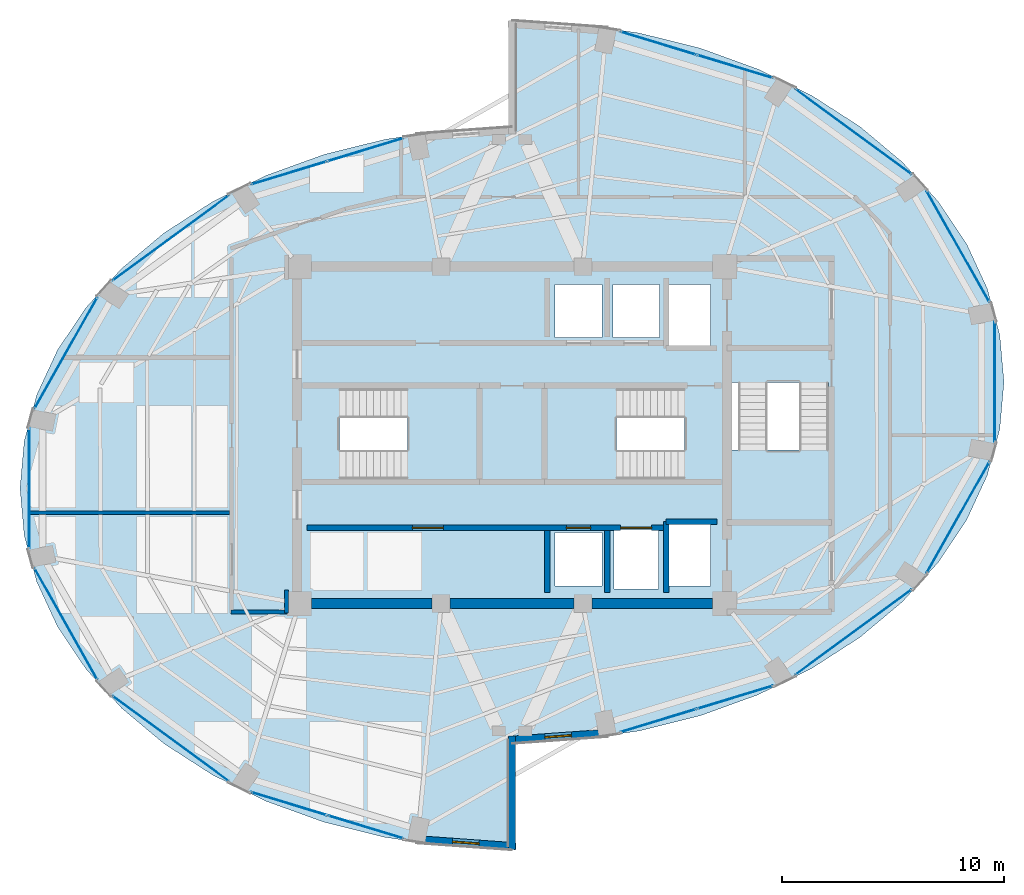
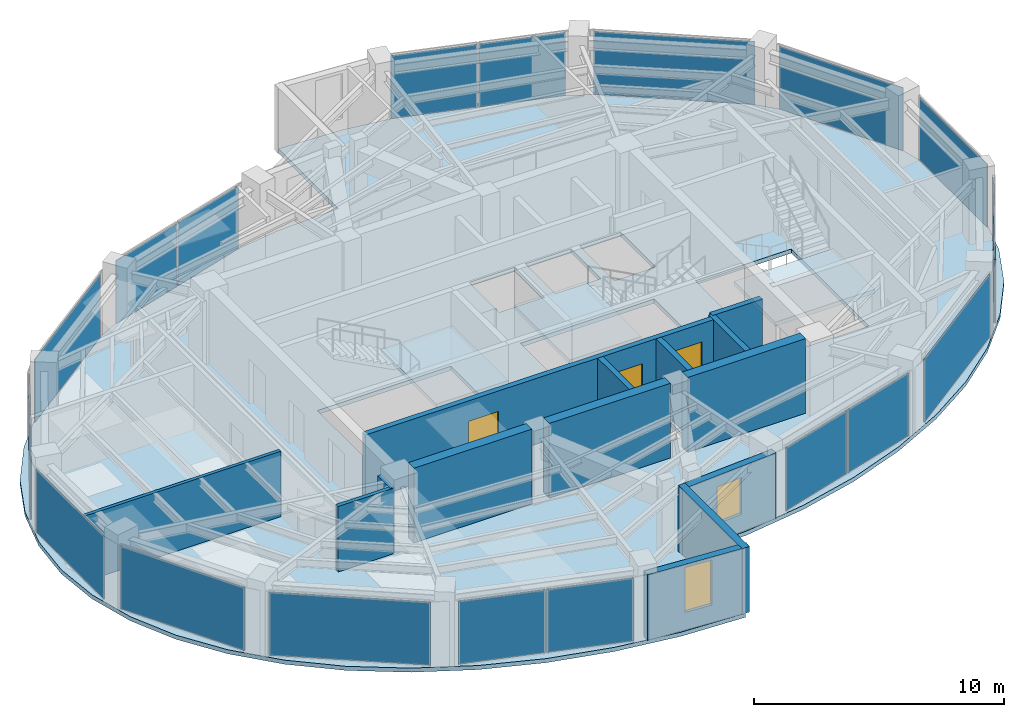
# One storey, part 18 of 22: 18 plates, 14 walls, 4 slabs, 3 doors, 2 windows, 5 openings, 17 elements without a shape of their own.
"""IFC4 building model written with IfcOpenShell, lengths in metres."""

from ifc_helpers import new_model, si_unit, direction, frame, frame_2d, origin, origin_2d, place, context, subcontext, project, spatial, polyline, rectangle, outline, extrude, material, layer, layer_set, type_object, element, fill, aggregate, save


model = new_model("IFC4")

# Units and contexts
model_context = context("Model", 3, precision=1e-05, world=origin(), true_north=direction((0.0, 1.0)))
body_context = subcontext(model_context, "Body", "Model", "MODEL_VIEW")
ifc_project = project(units=[si_unit("LENGTHUNIT", "METRE"), si_unit("AREAUNIT", "SQUARE_METRE"), si_unit("VOLUMEUNIT", "CUBIC_METRE"), si_unit("PLANEANGLEUNIT", "RADIAN"), si_unit("MASSUNIT", "GRAM", prefix="KILO")], contexts=[model_context])

# Site, building, storey
site_placement = place(None, origin())
site = spatial("IfcSite", under=ifc_project, at=site_placement, CompositionType="ELEMENT")
building_placement = place(site_placement, origin())
building = spatial("IfcBuilding", under=site, at=building_placement, Name="Lazwardi Medical Tower", CompositionType="ELEMENT")
storey_placement = place(building_placement, frame((0.0, 0.0, 242.256103515625)))
storey = spatial("IfcBuildingStorey", under=building, at=storey_placement, Name="L63", CompositionType="ELEMENT", Elevation=242.256103515625)

# Curtain wall, plates
ifc_material_1 = material(Name="Anodised bronze aluminium and solar control glazing", Category="aluminium")
ifc_layer_1 = layer(ifc_material_1, 0.18994140625)
ifc_layer_set_1 = layer_set([ifc_layer_1], Name="Anodised bronze aluminium and solar control glazing")
curtain_wall_type = type_object("IfcCurtainWallType", Name="CW-SYS-04", PredefinedType="NOTDEFINED", material=ifc_layer_set_1)
curtain_wall_1_placement = place(storey_placement, origin())
curtain_wall_1 = element("IfcCurtainWall", 1, at=curtain_wall_1_placement, inside=storey, type_object=curtain_wall_type, Name="L63 Unitised bronze curtain wall CW-04", PredefinedType="NOTDEFINED")
ifc_material_2 = material(Name="Low-e bronze solar control double glazing", Category="glass")
ifc_layer_2 = layer(ifc_material_2, 0.035888671875)
ifc_layer_set_2 = layer_set([ifc_layer_2], Name="Low-e bronze solar control double glazing")
plate_type = type_object("IfcPlateType", Name="PLT-GLZ-01", PredefinedType="CURTAIN_PANEL", material=ifc_layer_set_2)
plate_1_placement = place(storey_placement, frame((42.604736328125, 15.118896484375, 0.06494140625), z_axis=(0.0, 0.0, 1.0), x_axis=(0.956850126972, 0.290581889515, 0.0)))
plate_1 = element("IfcPlate", 2, at=plate_1_placement, type_object=plate_type, Name="CW-04 panel 1.1", PredefinedType="CURTAIN_PANEL", context=body_context, shape_type="SweptSolid", body=[
    extrude(rectangle(XDim=3.554443359375, YDim=0.035888671875, at=origin_2d()), origin(), (0.0, 0.0, 1.0), 3.068115234375),
])
plate_2_placement = place(storey_placement, frame((46.068115234375, 16.170654296875, 0.06494140625), z_axis=(0.0, 0.0, 1.0), x_axis=(0.956850126972, 0.290581889515, 0.0)))
plate_2 = element("IfcPlate", 3, at=plate_2_placement, type_object=plate_type, Name="CW-04 panel 2.1", PredefinedType="CURTAIN_PANEL", context=body_context, shape_type="SweptSolid", body=[
    extrude(rectangle(XDim=3.554443359375, YDim=0.035888671875, at=origin_2d()), origin(), (0.0, 0.0, 1.0), 3.068115234375),
])
aggregate(curtain_wall_1, [plate_1, plate_2])

# Curtain wall, plate
curtain_wall_2_placement = place(storey_placement, origin())
curtain_wall_2 = element("IfcCurtainWall", 4, at=curtain_wall_2_placement, inside=storey, type_object=curtain_wall_type, Name="L63 Unitised bronze curtain wall CW-04", PredefinedType="NOTDEFINED")
plate_3_placement = place(storey_placement, frame((51.403564453125, 19.106689453125, 0.06494140625), z_axis=(0.0, 0.0, 1.0), x_axis=(0.806474971121, 0.591268230971, 0.0)))
plate_3 = element("IfcPlate", 5, at=plate_3_placement, type_object=plate_type, Name="CW-04 panel 1.1", PredefinedType="CURTAIN_PANEL", context=body_context, shape_type="SweptSolid", body=[
    extrude(rectangle(XDim=6.502685546875, YDim=0.035888671875, at=origin_2d()), origin(), (0.0, 0.0, 1.0), 3.068115234375),
])
aggregate(curtain_wall_2, [plate_3])

curtain_wall_3_placement = place(storey_placement, origin())
curtain_wall_3 = element("IfcCurtainWall", 6, at=curtain_wall_3_placement, inside=storey, type_object=curtain_wall_type, Name="L63 Unitised bronze curtain wall CW-04", PredefinedType="NOTDEFINED")
plate_4_placement = place(storey_placement, frame((56.125732421875, 24.2880859375, 0.06494140625), z_axis=(0.0, 0.0, 1.0), x_axis=(0.491900474661, 0.870651436011, 0.0)))
plate_4 = element("IfcPlate", 7, at=plate_4_placement, type_object=plate_type, Name="CW-04 panel 1.1", PredefinedType="CURTAIN_PANEL", context=body_context, shape_type="SweptSolid", body=[
    extrude(rectangle(XDim=5.755126953125, YDim=0.035888671875, at=origin_2d()), origin(), (0.0, 0.0, 1.0), 3.068115234375),
])
aggregate(curtain_wall_3, [plate_4])

curtain_wall_4_placement = place(storey_placement, origin())
curtain_wall_4 = element("IfcCurtainWall", 8, at=curtain_wall_4_placement, inside=storey, type_object=curtain_wall_type, Name="L63 Unitised bronze curtain wall CW-04", PredefinedType="NOTDEFINED")
plate_5_placement = place(storey_placement, frame((57.7841796875, 30.39990234375, 0.06494140625), z_axis=(0.0, 0.0, 1.0), x_axis=(0.0, 1.0, 0.0)))
plate_5 = element("IfcPlate", 9, at=plate_5_placement, type_object=plate_type, Name="CW-04 panel 1.1", PredefinedType="CURTAIN_PANEL", context=body_context, shape_type="SweptSolid", body=[
    extrude(rectangle(XDim=5.416015625, YDim=0.035888671875, at=origin_2d()), origin(), (0.0, 0.0, 1.0), 3.068115234375),
])
aggregate(curtain_wall_4, [plate_5])

curtain_wall_5_placement = place(storey_placement, origin())
curtain_wall_5 = element("IfcCurtainWall", 10, at=curtain_wall_5_placement, inside=storey, type_object=curtain_wall_type, Name="L63 Unitised bronze curtain wall CW-04", PredefinedType="NOTDEFINED")
plate_6_placement = place(storey_placement, frame((56.125732421875, 36.511962890625, 0.06494140625), z_axis=(0.0, 0.0, 1.0), x_axis=(-0.491900474661, 0.870651436011, 0.0)))
plate_6 = element("IfcPlate", 11, at=plate_6_placement, type_object=plate_type, Name="CW-04 panel 1.1", PredefinedType="CURTAIN_PANEL", context=body_context, shape_type="SweptSolid", body=[
    extrude(rectangle(XDim=5.755126953125, YDim=0.035888671875, at=origin_2d()), origin(), (0.0, 0.0, 1.0), 3.068115234375),
])
aggregate(curtain_wall_5, [plate_6])

curtain_wall_6_placement = place(storey_placement, origin())
curtain_wall_6 = element("IfcCurtainWall", 12, at=curtain_wall_6_placement, inside=storey, type_object=curtain_wall_type, Name="L63 Unitised bronze curtain wall CW-04", PredefinedType="NOTDEFINED")
plate_7_placement = place(storey_placement, frame((51.403564453125, 41.693359375, 0.06494140625), z_axis=(0.0, 0.0, 1.0), x_axis=(-0.806474971121, 0.591268230971, 0.0)))
plate_7 = element("IfcPlate", 13, at=plate_7_placement, type_object=plate_type, Name="CW-04 panel 1.1", PredefinedType="CURTAIN_PANEL", context=body_context, shape_type="SweptSolid", body=[
    extrude(rectangle(XDim=6.502685546875, YDim=0.035888671875, at=origin_2d()), origin(), (0.0, 0.0, 1.0), 3.068115234375),
])
aggregate(curtain_wall_6, [plate_7])

# Curtain wall, plates
curtain_wall_7_placement = place(storey_placement, origin())
curtain_wall_7 = element("IfcCurtainWall", 14, at=curtain_wall_7_placement, inside=storey, type_object=curtain_wall_type, Name="L63 Unitised bronze curtain wall CW-04", PredefinedType="NOTDEFINED")
plate_8_placement = place(storey_placement, frame((46.068115234375, 44.62939453125, 0.06494140625), z_axis=(0.0, 0.0, 1.0), x_axis=(-0.956850126972, 0.290581889515, 0.0)))
plate_8 = element("IfcPlate", 15, at=plate_8_placement, type_object=plate_type, Name="CW-04 panel 1.1", PredefinedType="CURTAIN_PANEL", context=body_context, shape_type="SweptSolid", body=[
    extrude(rectangle(XDim=3.554443359375, YDim=0.035888671875, at=origin_2d()), origin(), (0.0, 0.0, 1.0), 3.068115234375),
])
plate_9_placement = place(storey_placement, frame((42.604736328125, 45.68115234375, 0.06494140625), z_axis=(0.0, 0.0, 1.0), x_axis=(-0.956850126972, 0.290581889515, 0.0)))
plate_9 = element("IfcPlate", 16, at=plate_9_placement, type_object=plate_type, Name="CW-04 panel 2.1", PredefinedType="CURTAIN_PANEL", context=body_context, shape_type="SweptSolid", body=[
    extrude(rectangle(XDim=3.554443359375, YDim=0.035888671875, at=origin_2d()), origin(), (0.0, 0.0, 1.0), 3.068115234375),
])
aggregate(curtain_wall_7, [plate_8, plate_9])

curtain_wall_8_placement = place(storey_placement, origin())
curtain_wall_8 = element("IfcCurtainWall", 17, at=curtain_wall_8_placement, inside=storey, type_object=curtain_wall_type, Name="L63 Unitised bronze curtain wall CW-04", PredefinedType="NOTDEFINED")
plate_10_placement = place(storey_placement, frame((29.395263671875, 40.881103515625, 0.06494140625), z_axis=(0.0, 0.0, 1.0), x_axis=(-0.956850126972, -0.290581889515, 0.0)))
plate_10 = element("IfcPlate", 18, at=plate_10_placement, type_object=plate_type, Name="CW-04 panel 1.1", PredefinedType="CURTAIN_PANEL", context=body_context, shape_type="SweptSolid", body=[
    extrude(rectangle(XDim=3.554443359375, YDim=0.035888671875, at=origin_2d()), origin(), (0.0, 0.0, 1.0), 3.068115234375),
])
plate_11_placement = place(storey_placement, frame((25.931884765625, 39.829345703125, 0.06494140625), z_axis=(0.0, 0.0, 1.0), x_axis=(-0.956850126972, -0.290581889515, 0.0)))
plate_11 = element("IfcPlate", 19, at=plate_11_placement, type_object=plate_type, Name="CW-04 panel 2.1", PredefinedType="CURTAIN_PANEL", context=body_context, shape_type="SweptSolid", body=[
    extrude(rectangle(XDim=3.554443359375, YDim=0.035888671875, at=origin_2d()), origin(), (0.0, 0.0, 1.0), 3.068115234375),
])
aggregate(curtain_wall_8, [plate_10, plate_11])

# Curtain wall, plate
curtain_wall_9_placement = place(storey_placement, origin())
curtain_wall_9 = element("IfcCurtainWall", 20, at=curtain_wall_9_placement, inside=storey, type_object=curtain_wall_type, Name="L63 Unitised bronze curtain wall CW-04", PredefinedType="NOTDEFINED")
plate_12_placement = place(storey_placement, frame((20.596435546875, 36.893310546875, 0.06494140625), z_axis=(0.0, 0.0, 1.0), x_axis=(-0.806474971121, -0.591268230971, 0.0)))
plate_12 = element("IfcPlate", 21, at=plate_12_placement, type_object=plate_type, Name="CW-04 panel 1.1", PredefinedType="CURTAIN_PANEL", context=body_context, shape_type="SweptSolid", body=[
    extrude(rectangle(XDim=6.502685546875, YDim=0.035888671875, at=origin_2d()), origin(), (0.0, 0.0, 1.0), 3.068115234375),
])
aggregate(curtain_wall_9, [plate_12])

curtain_wall_10_placement = place(storey_placement, origin())
curtain_wall_10 = element("IfcCurtainWall", 22, at=curtain_wall_10_placement, inside=storey, type_object=curtain_wall_type, Name="L63 Unitised bronze curtain wall CW-04", PredefinedType="NOTDEFINED")
plate_13_placement = place(storey_placement, frame((15.874267578125, 31.7119140625, 0.06494140625), z_axis=(0.0, 0.0, 1.0), x_axis=(-0.491900474661, -0.870651436011, 0.0)))
plate_13 = element("IfcPlate", 23, at=plate_13_placement, type_object=plate_type, Name="CW-04 panel 1.1", PredefinedType="CURTAIN_PANEL", context=body_context, shape_type="SweptSolid", body=[
    extrude(rectangle(XDim=5.755126953125, YDim=0.035888671875, at=origin_2d()), origin(), (0.0, 0.0, 1.0), 3.068115234375),
])
aggregate(curtain_wall_10, [plate_13])

curtain_wall_11_placement = place(storey_placement, origin())
curtain_wall_11 = element("IfcCurtainWall", 24, at=curtain_wall_11_placement, inside=storey, type_object=curtain_wall_type, Name="L63 Unitised bronze curtain wall CW-04", PredefinedType="NOTDEFINED")
plate_14_placement = place(storey_placement, frame((14.2158203125, 25.60009765625, 0.06494140625), z_axis=(0.0, 0.0, 1.0), x_axis=(0.0, -1.0, 0.0)))
plate_14 = element("IfcPlate", 25, at=plate_14_placement, type_object=plate_type, Name="CW-04 panel 1.1", PredefinedType="CURTAIN_PANEL", context=body_context, shape_type="SweptSolid", body=[
    extrude(rectangle(XDim=5.416015625, YDim=0.035888671875, at=origin_2d()), origin(), (0.0, 0.0, 1.0), 3.068115234375),
])
aggregate(curtain_wall_11, [plate_14])

curtain_wall_12_placement = place(storey_placement, origin())
curtain_wall_12 = element("IfcCurtainWall", 26, at=curtain_wall_12_placement, inside=storey, type_object=curtain_wall_type, Name="L63 Unitised bronze curtain wall CW-04", PredefinedType="NOTDEFINED")
plate_15_placement = place(storey_placement, frame((15.874267578125, 19.488037109375, 0.06494140625), z_axis=(0.0, 0.0, 1.0), x_axis=(0.491900474661, -0.870651436011, 0.0)))
plate_15 = element("IfcPlate", 27, at=plate_15_placement, type_object=plate_type, Name="CW-04 panel 1.1", PredefinedType="CURTAIN_PANEL", context=body_context, shape_type="SweptSolid", body=[
    extrude(rectangle(XDim=5.755126953125, YDim=0.035888671875, at=origin_2d()), origin(), (0.0, 0.0, 1.0), 3.068115234375),
])
aggregate(curtain_wall_12, [plate_15])

curtain_wall_13_placement = place(storey_placement, origin())
curtain_wall_13 = element("IfcCurtainWall", 28, at=curtain_wall_13_placement, inside=storey, type_object=curtain_wall_type, Name="L63 Unitised bronze curtain wall CW-04", PredefinedType="NOTDEFINED")
plate_16_placement = place(storey_placement, frame((20.596435546875, 14.306640625, 0.06494140625), z_axis=(0.0, 0.0, 1.0), x_axis=(0.806474971121, -0.591268230971, 0.0)))
plate_16 = element("IfcPlate", 29, at=plate_16_placement, type_object=plate_type, Name="CW-04 panel 1.1", PredefinedType="CURTAIN_PANEL", context=body_context, shape_type="SweptSolid", body=[
    extrude(rectangle(XDim=6.502685546875, YDim=0.035888671875, at=origin_2d()), origin(), (0.0, 0.0, 1.0), 3.068115234375),
])
aggregate(curtain_wall_13, [plate_16])

# Curtain wall, plates
curtain_wall_14_placement = place(storey_placement, origin())
curtain_wall_14 = element("IfcCurtainWall", 30, at=curtain_wall_14_placement, inside=storey, type_object=curtain_wall_type, Name="L63 Unitised bronze curtain wall CW-04", PredefinedType="NOTDEFINED")
plate_17_placement = place(storey_placement, frame((25.931884765625, 11.37060546875, 0.06494140625), z_axis=(0.0, 0.0, 1.0), x_axis=(0.956850126972, -0.290581889515, 0.0)))
plate_17 = element("IfcPlate", 31, at=plate_17_placement, type_object=plate_type, Name="CW-04 panel 1.1", PredefinedType="CURTAIN_PANEL", context=body_context, shape_type="SweptSolid", body=[
    extrude(rectangle(XDim=3.554443359375, YDim=0.035888671875, at=origin_2d()), origin(), (0.0, 0.0, 1.0), 3.068115234375),
])
plate_18_placement = place(storey_placement, frame((29.395263671875, 10.31884765625, 0.06494140625), z_axis=(0.0, 0.0, 1.0), x_axis=(0.956850126972, -0.290581889515, 0.0)))
plate_18 = element("IfcPlate", 32, at=plate_18_placement, type_object=plate_type, Name="CW-04 panel 2.1", PredefinedType="CURTAIN_PANEL", context=body_context, shape_type="SweptSolid", body=[
    extrude(rectangle(XDim=3.554443359375, YDim=0.035888671875, at=origin_2d()), origin(), (0.0, 0.0, 1.0), 3.068115234375),
])
aggregate(curtain_wall_14, [plate_17, plate_18])

# Stair, slab
ifc_material_3 = material(Name="Concrete C45/55", Category="concrete")
stair_type = type_object("IfcStairType", Name="STR-WRD", PredefinedType="HALF_TURN_STAIR", material=ifc_material_3)
stair_1_placement = place(storey_placement, origin())
stair_1 = element("IfcStair", 33, at=stair_1_placement, inside=storey, type_object=stair_type, Name="L63 Protected Exit Stair ST1", PredefinedType="HALF_TURN_STAIR")
ifc_layer_3 = layer(ifc_material_3, 0.199951171875)
ifc_layer_set_3 = layer_set([ifc_layer_3], Name="Concrete C45/55")
slab_type_1 = type_object("IfcSlabType", Name="SLB-LND-190", PredefinedType="LANDING", material=ifc_layer_set_3)
slab_1_placement = place(storey_placement, frame((0.0, 0.0, 1.623779296875)))
slab_1 = element("IfcSlab", 34, at=slab_1_placement, type_object=slab_type_1, Name="ST1 landing 1", PredefinedType="LANDING", context=body_context, shape_type="SweptSolid", body=[
    extrude(outline(polyline([(31.27490234375, 25.840087890625), (34.580078125, 25.840087890625), (34.580078125, 30.280029296875), (31.27490234375, 30.280029296875), (31.27490234375, 25.840087890625)])), origin(), (0.0, 0.0, 1.0), 0.2001953125),
])
aggregate(stair_1, [slab_1])

stair_2_placement = place(storey_placement, origin())
stair_2 = element("IfcStair", 35, at=stair_2_placement, inside=storey, type_object=stair_type, Name="L63 Protected Exit Stair ST2", PredefinedType="HALF_TURN_STAIR")
slab_2_placement = place(storey_placement, frame((0.0, 0.0, 1.623779296875)))
slab_2 = element("IfcSlab", 36, at=slab_2_placement, type_object=slab_type_1, Name="ST2 landing 1", PredefinedType="LANDING", context=body_context, shape_type="SweptSolid", body=[
    extrude(outline(polyline([(40.72509765625, 30.280029296875), (37.419921875, 30.280029296875), (37.419921875, 25.840087890625), (40.72509765625, 25.840087890625), (40.72509765625, 30.280029296875)])), origin(), (0.0, 0.0, 1.0), 0.2001953125),
])
aggregate(stair_2, [slab_2])

stair_3_placement = place(storey_placement, origin())
stair_3 = element("IfcStair", 37, at=stair_3_placement, inside=storey, type_object=stair_type, Name="L63 Protected Exit Stair ST3", PredefinedType="HALF_TURN_STAIR")
slab_3_placement = place(storey_placement, frame((0.0, 0.0, 1.623779296875)))
slab_3 = element("IfcSlab", 38, at=slab_3_placement, type_object=slab_type_1, Name="ST3 landing 1", PredefinedType="LANDING", context=body_context, shape_type="SweptSolid", body=[
    extrude(outline(polyline([(45.860107421875, 27.324951171875), (45.860107421875, 24.02001953125), (50.4599609375, 24.02001953125), (50.4599609375, 27.324951171875), (45.860107421875, 27.324951171875)])), origin(), (0.0, 0.0, 1.0), 0.2001953125),
])
aggregate(stair_3, [slab_3])

# Slab
ifc_material_4 = material(Name="Concrete C50/60", Category="concrete")
ifc_layer_4 = layer(ifc_material_4, 0.199951171875)
ifc_layer_set_4 = layer_set([ifc_layer_4], Name="Concrete C50/60")
slab_type_2 = type_object("IfcSlabType", Name="SLB-UPP-200", PredefinedType="FLOOR", material=ifc_layer_set_4)
slab_4_placement = place(storey_placement, frame((0.0, 0.0, -0.2001953125)))
element("IfcSlab", 39, at=slab_4_placement, inside=storey, type_object=slab_type_2, Name="Structural floor slab SF-04 L63", PredefinedType="FLOOR", context=body_context, shape_type="SweptSolid", body=[
    extrude(outline(polyline([(18.3876953125, 15.67724609375), (20.30224609375, 14.07421875), (22.485595703125, 12.668212890625), (24.89990234375, 11.48388671875), (27.50439453125, 10.540771484375), (30.254150390625, 9.85546875), (33.102294921875, 9.439453125), (36.0, 9.300048828125), (36.0, 14.10009765625), (38.897705078125, 14.239501953125), (41.745849609375, 14.655517578125), (44.49560546875, 15.3408203125), (47.10009765625, 16.28369140625), (49.514404296875, 17.46826171875), (51.69775390625, 18.874267578125), (53.6123046875, 20.477294921875), (55.225830078125, 22.25), (56.510009765625, 24.162353515625), (57.443603515625, 26.18115234375), (58.010009765625, 28.2724609375), (58.199951171875, 30.39990234375), (58.010009765625, 32.527587890625), (57.443603515625, 34.618896484375), (56.510009765625, 36.6376953125), (55.225830078125, 38.550048828125), (53.6123046875, 40.32275390625), (51.69775390625, 41.92578125), (49.514404296875, 43.331787109375), (47.10009765625, 44.51611328125), (44.49560546875, 45.459228515625), (41.745849609375, 46.14453125), (38.897705078125, 46.560546875), (36.0, 46.699951171875), (36.0, 41.89990234375), (33.102294921875, 41.760498046875), (30.254150390625, 41.344482421875), (27.50439453125, 40.6591796875), (24.89990234375, 39.71630859375), (22.485595703125, 38.53173828125), (20.30224609375, 37.125732421875), (18.3876953125, 35.522705078125), (16.774169921875, 33.75), (15.489990234375, 31.837646484375), (14.556396484375, 29.81884765625), (13.989990234375, 27.7275390625), (13.800048828125, 25.60009765625), (13.989990234375, 23.472412109375), (14.556396484375, 21.381103515625), (15.489990234375, 19.3623046875), (16.774169921875, 17.449951171875), (18.3876953125, 15.67724609375)]), holes=[polyline([(28.22509765625, 26.02001953125), (28.22509765625, 30.10009765625), (34.39990234375, 30.10009765625), (34.39990234375, 26.02001953125), (28.22509765625, 26.02001953125)]), polyline([(37.60009765625, 30.10009765625), (43.77490234375, 30.10009765625), (43.77490234375, 26.02001953125), (37.60009765625, 26.02001953125), (37.60009765625, 30.10009765625)]), polyline([(50.280029296875, 30.375), (50.280029296875, 24.179931640625), (45.840087890625, 24.179931640625), (45.840087890625, 30.375), (50.280029296875, 30.375)]), polyline([(40.050048828125, 32.39990234375), (37.949951171875, 32.39990234375), (37.949951171875, 34.800048828125), (40.050048828125, 34.800048828125), (40.050048828125, 32.39990234375)]), polyline([(40.550048828125, 32.39990234375), (40.550048828125, 34.800048828125), (42.64990234375, 34.800048828125), (42.64990234375, 32.39990234375), (40.550048828125, 32.39990234375)]), polyline([(37.949951171875, 23.60009765625), (40.050048828125, 23.60009765625), (40.050048828125, 21.199951171875), (37.949951171875, 21.199951171875), (37.949951171875, 23.60009765625)]), polyline([(44.949951171875, 34.800048828125), (44.949951171875, 32.0), (43.050048828125, 32.0), (43.050048828125, 34.800048828125), (44.949951171875, 34.800048828125)]), polyline([(44.949951171875, 21.199951171875), (43.050048828125, 21.199951171875), (43.050048828125, 24.0), (44.949951171875, 24.0), (44.949951171875, 21.199951171875)]), polyline([(40.60009765625, 21.050048828125), (40.60009765625, 23.75), (42.60009765625, 23.75), (42.60009765625, 21.050048828125), (40.60009765625, 21.050048828125)])]), origin(), (0.0, 0.0, 1.0), 0.2001953125),
])

# Walls
ifc_material_5 = material(Name="Fire-rated gypsum board on steel stud", Category="steel")
ifc_layer_5 = layer(ifc_material_5, 0.179931640625)
ifc_layer_set_5 = layer_set([ifc_layer_5], Name="Fire-rated gypsum board on steel stud")
wall_type_1 = type_object("IfcWallType", Name="WL-COR-180", PredefinedType="PARTITIONING", material=ifc_layer_set_5)
wall_1_placement = place(storey_placement, frame((25.830078125, 21.010009765625, 0.0), z_axis=(0.0, 0.0, 1.0), x_axis=(0.0, -1.0, 0.0)))
element("IfcWall", 40, at=wall_1_placement, inside=storey, type_object=wall_type_1, Name="L63 Corridor partition 8", PredefinedType="PARTITIONING", context=body_context, shape_type="SweptSolid", body=[
    extrude(rectangle(XDim=1.030029296875, YDim=0.179931640625, at=frame_2d((0.51513671875, 0.0))), origin(), (0.0, 0.0, 1.0), 3.197998046875),
])
wall_2_placement = place(storey_placement, frame((25.8701171875, 20.02001953125, 0.0), z_axis=(0.0, 0.0, 1.0), x_axis=(-1.0, 0.0, 0.0)))
element("IfcWall", 41, at=wall_2_placement, inside=storey, type_object=wall_type_1, Name="L63 Corridor partition 9", PredefinedType="PARTITIONING", context=body_context, shape_type="SweptSolid", body=[
    extrude(rectangle(XDim=2.56005859375, YDim=0.179931640625, at=frame_2d((1.280029296875, 0.0))), origin(), (0.0, 0.0, 1.0), 3.197998046875),
])
ifc_material_6 = material(Name="Concrete C60/75", Category="concrete")
ifc_layer_6 = layer(ifc_material_6, 0.449951171875)
ifc_layer_set_6 = layer_set([ifc_layer_6], Name="Concrete C60/75")
wall_type_2 = type_object("IfcWallType", Name="WL-CORE-450", PredefinedType="SHEAR", material=ifc_layer_set_6)
wall_3_placement = place(storey_placement, frame((26.949951171875, 20.39990234375, 0.0), z_axis=(0.0, 0.0, 1.0), x_axis=(1.0, 0.0, 0.0)))
element("IfcWall", 42, at=wall_3_placement, inside=storey, type_object=wall_type_2, Name="Core wall CW-S4 S1 L63", PredefinedType="SHEAR", context=body_context, shape_type="SweptSolid", body=[
    extrude(rectangle(XDim=5.449951171875, YDim=0.449951171875, at=frame_2d((2.72509765625, 0.0))), origin(), (0.0, 0.0, 1.0), 3.64794921875),
])
wall_4_placement = place(storey_placement, frame((33.199951171875, 20.39990234375, 0.0), z_axis=(0.0, 0.0, 1.0), x_axis=(1.0, 0.0, 0.0)))
element("IfcWall", 43, at=wall_4_placement, inside=storey, type_object=wall_type_2, Name="Core wall CW-S4 S2 L63", PredefinedType="SHEAR", context=body_context, shape_type="SweptSolid", body=[
    extrude(rectangle(XDim=5.60009765625, YDim=0.449951171875, at=frame_2d((2.800048828125, 0.0))), origin(), (0.0, 0.0, 1.0), 3.64794921875),
])
wall_5_placement = place(storey_placement, frame((39.60009765625, 20.39990234375, 0.0), z_axis=(0.0, 0.0, 1.0), x_axis=(1.0, 0.0, 0.0)))
element("IfcWall", 44, at=wall_5_placement, inside=storey, type_object=wall_type_2, Name="Core wall CW-S4 S3 L63", PredefinedType="SHEAR", context=body_context, shape_type="SweptSolid", body=[
    extrude(rectangle(XDim=5.449951171875, YDim=0.449951171875, at=frame_2d((2.72509765625, 0.0))), origin(), (0.0, 0.0, 1.0), 3.64794921875),
])

# Wall, opening, window
ifc_material_7 = material(Name="Precast concrete C45/55", Category="concrete")
ifc_layer_7 = layer(ifc_material_7, 0.320068359375)
ifc_layer_set_7 = layer_set([ifc_layer_7], Name="Precast concrete C45/55")
wall_type_3 = type_object("IfcWallType", Name="WL-IWAN-320", PredefinedType="SOLIDWALL", material=ifc_layer_set_7)
wall_6_placement = place(storey_placement, frame((35.820556640625, 14.2470703125, 0.0), z_axis=(0.0, 0.0, 1.0), x_axis=(0.997409061056, 0.071938619141, 0.0)))
wall_6 = element("IfcWall", 45, at=wall_6_placement, inside=storey, type_object=wall_type_3, Name="L63 Iwan Portal Return Wall SE_ret", PredefinedType="SOLIDWALL", context=body_context, shape_type="SweptSolid", body=[
    extrude(rectangle(XDim=4.540771484375, YDim=0.320068359375, at=frame_2d((2.2705078125, 0.0))), origin(), (0.0, 0.0, 1.0), 3.197998046875),
])
opening_1_placement = place(wall_6_placement, frame((1.67041015625, 0.0, 0.85009765625)))
opening_1 = element("IfcOpeningElement", 46, at=opening_1_placement, cuts=wall_6, Name="Opening WN-04", PredefinedType="OPENING", context=body_context, shape_type="SweptSolid", body=[
    extrude(rectangle(XDim=1.199951171875, YDim=1.800048828125, at=frame_2d((0.60009765625, 0.89990234375))), frame((0.0, 0.169921875, 0.0), z_axis=(0.0, -1.0, 0.0), x_axis=(1.0, 0.0, 0.0)), (0.0, 0.0, 1.0), 0.340087890625),
])
window_type_1 = type_object("IfcWindowType", Name="WIN-DRUM-1200", PartitioningType="SINGLE_PANEL", PredefinedType="WINDOW", material=ifc_material_2)
window_1_placement = place(opening_1_placement, origin())
window_1 = element("IfcWindow", 47, at=window_1_placement, inside=storey, type_object=window_type_1, Name="L63 Iwan Slot Window SE_ret", OverallHeight=1.800048828125, OverallWidth=1.199951171875, PartitioningType="SINGLE_PANEL", PredefinedType="WINDOW", context=body_context, shape_type="SweptSolid", body=[
    extrude(rectangle(XDim=1.199951171875, YDim=1.800048828125, at=frame_2d((0.60009765625, 0.89990234375))), frame((0.0, 0.030029296875, 0.0), z_axis=(0.0, -1.0, 0.0), x_axis=(1.0, 0.0, 0.0)), (0.0, 0.0, 1.0), 0.06005859375),
])
fill(opening_1, window_1)

wall_7_placement = place(storey_placement, frame((31.650390625, 9.773681640625, 0.0), z_axis=(0.0, 0.0, 1.0), x_axis=(0.997408782787, -0.071942477163, 0.0)))
wall_7 = element("IfcWall", 48, at=wall_7_placement, inside=storey, type_object=wall_type_3, Name="L63 Iwan Portal Return Wall SW_ret", PredefinedType="SOLIDWALL", context=body_context, shape_type="SweptSolid", body=[
    extrude(rectangle(XDim=4.54052734375, YDim=0.320068359375, at=frame_2d((2.270263671875, 0.0))), origin(), (0.0, 0.0, 1.0), 3.197998046875),
])
opening_2_placement = place(wall_7_placement, frame((1.67041015625, 0.0, 0.85009765625)))
opening_2 = element("IfcOpeningElement", 49, at=opening_2_placement, cuts=wall_7, Name="Opening WN-01", PredefinedType="OPENING", context=body_context, shape_type="SweptSolid", body=[
    extrude(rectangle(XDim=1.199951171875, YDim=2.199951171875, at=frame_2d((0.60009765625, 1.10009765625))), frame((0.0, 0.169921875, 0.0), z_axis=(0.0, -1.0, 0.0), x_axis=(1.0, 0.0, 0.0)), (0.0, 0.0, 1.0), 0.340087890625),
])
window_type_2 = type_object("IfcWindowType", Name="WIN-IW-1200", PartitioningType="SINGLE_PANEL", PredefinedType="WINDOW", material=ifc_material_2)
window_2_placement = place(opening_2_placement, origin())
window_2 = element("IfcWindow", 50, at=window_2_placement, inside=storey, type_object=window_type_2, Name="L63 Iwan Slot Window SW_ret", OverallHeight=2.199951171875, OverallWidth=1.199951171875, PartitioningType="SINGLE_PANEL", PredefinedType="WINDOW", context=body_context, shape_type="SweptSolid", body=[
    extrude(rectangle(XDim=1.199951171875, YDim=2.199951171875, at=frame_2d((0.60009765625, 1.10009765625))), frame((0.0, 0.030029296875, 0.0), z_axis=(0.0, -1.0, 0.0), x_axis=(1.0, 0.0, 0.0)), (0.0, 0.0, 1.0), 0.06005859375),
])
fill(opening_2, window_2)

# Wall
wall_8_placement = place(storey_placement, frame((36.0, 9.300048828125, 0.0), z_axis=(0.0, 0.0, 1.0), x_axis=(0.0, 1.0, 0.0)))
element("IfcWall", 51, at=wall_8_placement, inside=storey, type_object=wall_type_3, Name="L63 Turquoise Tilework Iwan Seam Wall S_seam", PredefinedType="SOLIDWALL", context=body_context, shape_type="SweptSolid", body=[
    extrude(rectangle(XDim=5.119873046875, YDim=0.320068359375, at=frame_2d((2.56005859375, 0.0))), origin(), (0.0, 0.0, 1.0), 3.197998046875),
])

# Wall, openings, doors
ifc_material_8 = material(Name="Autoclaved aerated concrete blockwork", Category="masonry")
ifc_layer_8 = layer(ifc_material_8, 0.25)
ifc_layer_set_8 = layer_set([ifc_layer_8], Name="Autoclaved aerated concrete blockwork")
wall_type_4 = type_object("IfcWallType", Name="WL-SHAFT-250", PredefinedType="SOLIDWALL", material=ifc_layer_set_8)
wall_9_placement = place(storey_placement, frame((26.75, 23.830078125, 0.0), z_axis=(0.0, 0.0, 1.0), x_axis=(1.0, 0.0, 0.0)))
wall_9 = element("IfcWall", 52, at=wall_9_placement, inside=storey, type_object=wall_type_4, Name="L63 South lift bank front wall", PredefinedType="SOLIDWALL", context=body_context, shape_type="SweptSolid", body=[
    extrude(rectangle(XDim=16.199951171875, YDim=0.25, at=frame_2d((8.10009765625, 0.0))), origin(), (0.0, 0.0, 1.0), 3.197998046875),
])
opening_3_placement = place(wall_9_placement, frame((4.75, 0.0, 0.0)))
opening_3 = element("IfcOpeningElement", 53, at=opening_3_placement, cuts=wall_9, Name="Opening D-L63-003", PredefinedType="OPENING", context=body_context, shape_type="SweptSolid", body=[
    extrude(rectangle(XDim=1.39990234375, YDim=2.199951171875, at=frame_2d((0.699951171875, 1.10009765625))), frame((0.0, 0.135009765625, 0.0), z_axis=(0.0, -1.0, 0.0), x_axis=(1.0, 0.0, 0.0)), (0.0, 0.0, 1.0), 0.27001953125),
])
opening_4_placement = place(wall_9_placement, frame((11.699951171875, 0.0, 0.0)))
opening_4 = element("IfcOpeningElement", 54, at=opening_4_placement, cuts=wall_9, Name="Opening LD-L63-006", PredefinedType="OPENING", context=body_context, shape_type="SweptSolid", body=[
    extrude(rectangle(XDim=1.10009765625, YDim=2.199951171875, at=frame_2d((0.550048828125, 1.10009765625))), frame((0.0, 0.135009765625, 0.0), z_axis=(0.0, -1.0, 0.0), x_axis=(1.0, 0.0, 0.0)), (0.0, 0.0, 1.0), 0.27001953125),
])
opening_5_placement = place(wall_9_placement, frame((14.14990234375, 0.0, 0.0)))
opening_5 = element("IfcOpeningElement", 55, at=opening_5_placement, cuts=wall_9, Name="Opening LD-L63-003", PredefinedType="OPENING", context=body_context, shape_type="SweptSolid", body=[
    extrude(rectangle(XDim=1.39990234375, YDim=2.300048828125, at=frame_2d((0.699951171875, 1.14990234375))), frame((0.0, 0.135009765625, 0.0), z_axis=(0.0, -1.0, 0.0), x_axis=(1.0, 0.0, 0.0)), (0.0, 0.0, 1.0), 0.27001953125),
])
ifc_material_9 = material(Name="Anti-microbial laminate hospital leaf")
door_type_1 = type_object("IfcDoorType", Name="DR-BED-1400", OperationType="NOTDEFINED", PredefinedType="DOOR", material=ifc_material_9)
door_1_placement = place(opening_3_placement, origin())
door_1 = element("IfcDoor", 56, at=door_1_placement, inside=storey, type_object=door_type_1, Name="L63 Core South Suite Door", OperationType="SINGLE_SWING_LEFT", OverallHeight=2.199951171875, OverallWidth=1.39990234375, PredefinedType="DOOR", context=body_context, shape_type="SweptSolid", body=[
    extrude(rectangle(XDim=1.39990234375, YDim=2.199951171875, at=frame_2d((0.699951171875, 1.10009765625))), frame((0.0, 0.02490234375, 0.0), z_axis=(0.0, -1.0, 0.0), x_axis=(1.0, 0.0, 0.0)), (0.0, 0.0, 1.0), 0.050048828125),
])
fill(opening_3, door_1)
ifc_material_10 = material(Name="Brushed bronze stainless steel landing door", Category="steel")
door_type_2 = type_object("IfcDoorType", Name="DR-LFT-1100", OperationType="NOTDEFINED", PredefinedType="DOOR", material=ifc_material_10)
door_2_placement = place(opening_4_placement, origin())
door_2 = element("IfcDoor", 57, at=door_2_placement, inside=storey, type_object=door_type_2, Name="L63 Lift Landing Door PL-11", OperationType="SLIDING_TO_LEFT", OverallHeight=2.199951171875, OverallWidth=1.10009765625, PredefinedType="DOOR", context=body_context, shape_type="SweptSolid", body=[
    extrude(rectangle(XDim=1.10009765625, YDim=2.199951171875, at=frame_2d((0.550048828125, 1.10009765625))), frame((0.0, 0.02490234375, 0.0), z_axis=(0.0, -1.0, 0.0), x_axis=(1.0, 0.0, 0.0)), (0.0, 0.0, 1.0), 0.050048828125),
])
fill(opening_4, door_2)
ifc_material_11 = material(Name="Brushed stainless steel bed-lift landing door", Category="steel")
door_type_3 = type_object("IfcDoorType", Name="DR-LFT-1400", OperationType="NOTDEFINED", PredefinedType="DOOR", material=ifc_material_11)
door_3_placement = place(opening_5_placement, origin())
door_3 = element("IfcDoor", 58, at=door_3_placement, inside=storey, type_object=door_type_3, Name="L63 Lift Landing Door FL-03", OperationType="SLIDING_TO_LEFT", OverallHeight=2.300048828125, OverallWidth=1.39990234375, PredefinedType="DOOR", context=body_context, shape_type="SweptSolid", body=[
    extrude(rectangle(XDim=1.39990234375, YDim=2.300048828125, at=frame_2d((0.699951171875, 1.14990234375))), frame((0.0, 0.02490234375, 0.0), z_axis=(0.0, -1.0, 0.0), x_axis=(1.0, 0.0, 0.0)), (0.0, 0.0, 1.0), 0.050048828125),
])
fill(opening_5, door_3)

# Walls
wall_10_placement = place(storey_placement, frame((42.949951171875, 20.89990234375, 0.0), z_axis=(0.0, 0.0, 1.0), x_axis=(0.0, 1.0, 0.0)))
element("IfcWall", 59, at=wall_10_placement, inside=storey, type_object=wall_type_4, Name="L63 FL-02 West shaft wall", PredefinedType="SOLIDWALL", context=body_context, shape_type="SweptSolid", body=[
    extrude(rectangle(XDim=3.2001953125, YDim=0.25, at=frame_2d((1.60009765625, 0.0))), origin(), (0.0, 0.0, 1.0), 3.197998046875),
])
wall_11_placement = place(storey_placement, frame((42.949951171875, 24.10009765625, 0.0), z_axis=(0.0, 0.0, 1.0), x_axis=(1.0, 0.0, 0.0)))
element("IfcWall", 60, at=wall_11_placement, inside=storey, type_object=wall_type_4, Name="L63 FL-02 North shaft wall", PredefinedType="SOLIDWALL", context=body_context, shape_type="SweptSolid", body=[
    extrude(rectangle(XDim=2.300048828125, YDim=0.25, at=frame_2d((1.14990234375, 0.0))), origin(), (0.0, 0.0, 1.0), 3.197998046875),
])
for number, where, z_axis, x_axis, name in (
    (61, (37.60009765625, 20.89990234375, 0.0), (0.0, 0.0, 1.0), (0.0, 1.0, 0.0), "L63 South hoistway divider"),
    (62, (40.300048828125, 20.89990234375, 0.0), (0.0, 0.0, 1.0), (0.0, 1.0, 0.0), "L63 South hoistway divider"),
):
    element("IfcWall", number, at=place(storey_placement, frame(where, z_axis=z_axis, x_axis=x_axis)), inside=storey, type_object=wall_type_4, Name=name, PredefinedType="SOLIDWALL", context=body_context, shape_type="SweptSolid", body=[
        extrude(rectangle(XDim=2.800048828125, YDim=0.25, at=frame_2d((1.39990234375, 0.0))), origin(), (0.0, 0.0, 1.0), 3.197998046875),
    ])
ifc_material_12 = material(Name="Acoustic gypsum board partition")
ifc_layer_9 = layer(ifc_material_12, 0.14990234375)
ifc_layer_set_9 = layer_set([ifc_layer_9], Name="Acoustic gypsum board partition")
wall_type_5 = type_object("IfcWallType", Name="WL-WRD-150", PredefinedType="PARTITIONING", material=ifc_layer_set_9)
wall_12_placement = place(storey_placement, frame((14.228271484375, 24.5, 0.0), z_axis=(0.0, 0.0, 1.0), x_axis=(1.0, 0.0, 0.0)))
element("IfcWall", 63, at=wall_12_placement, inside=storey, type_object=wall_type_5, Name="L63 Room partition 1", PredefinedType="PARTITIONING", context=body_context, shape_type="SweptSolid", body=[
    extrude(rectangle(XDim=9.03173828125, YDim=0.14990234375, at=frame_2d((4.515869140625, 0.0))), origin(), (0.0, 0.0, 1.0), 3.197998046875),
])

save(model, "model.ifc")
